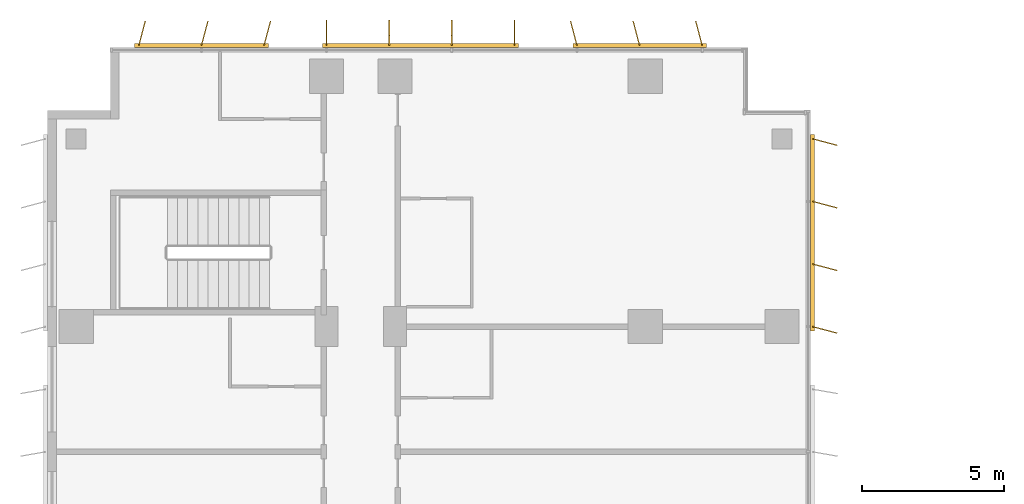
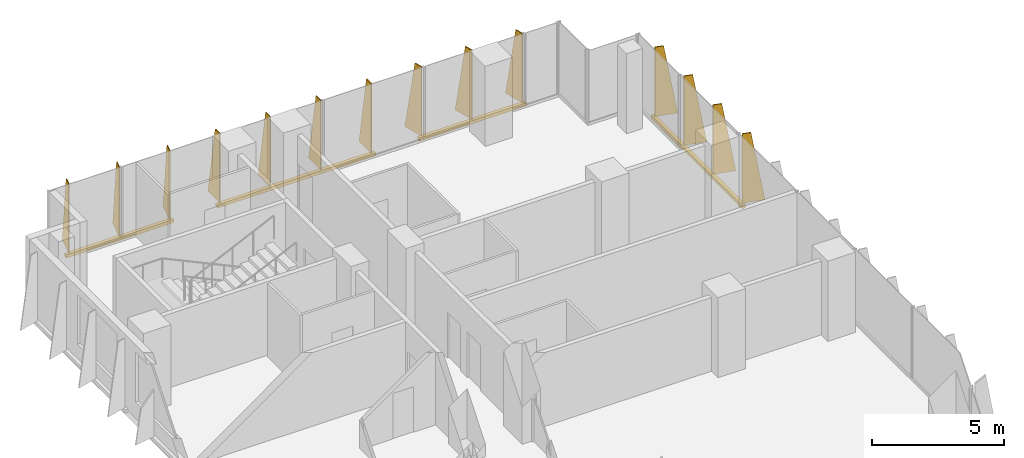
# One storey, part 23 of 23: 4 shading devices.
"""IFC4 building model written with IfcOpenShell, lengths in metres."""

from ifc_helpers import new_model, si_unit, direction, frame, origin, origin_2d, place, context, subcontext, project, spatial, polyline, rectangle, outline, extrude, source, transform, mapped, material, layer, layer_set, type_object, element, save


model = new_model("IFC4")

# Units and contexts
model_context = context("Model", 3, precision=1e-05, world=origin(), true_north=direction((0.0, 1.0)))
body_context = subcontext(model_context, "Body", "Model", "MODEL_VIEW")
ifc_project = project(units=[si_unit("LENGTHUNIT", "METRE"), si_unit("AREAUNIT", "SQUARE_METRE"), si_unit("VOLUMEUNIT", "CUBIC_METRE"), si_unit("PLANEANGLEUNIT", "RADIAN"), si_unit("MASSUNIT", "GRAM", prefix="KILO")], contexts=[model_context])

# Site, building, storey
site_placement = place(None, origin())
site = spatial("IfcSite", under=ifc_project, at=site_placement, CompositionType="ELEMENT")
building_placement = place(site_placement, origin())
building = spatial("IfcBuilding", under=site, at=building_placement, Name="Kemantara Hotel Tower", CompositionType="ELEMENT")
storey_placement = place(building_placement, frame((0.0, 0.0, 114.800048828125)))
storey = spatial("IfcBuildingStorey", under=building, at=storey_placement, Name="L27", CompositionType="ELEMENT", Elevation=114.800048828125)

# Shading devices
ifc_material = material(Name="Perforated aluminium plate 4 mm bronze anodised", Category="aluminium")
ifc_layer_1 = layer(ifc_material, 0.0400390625)
ifc_layer_set_1 = layer_set([ifc_layer_1], Name="Perforated aluminium plate 4 mm bronze anodised")
shading_device_type_1 = type_object("IfcShadingDeviceType", Name="SCREEN FIN CASSETTE, 3 BLADES AT -15.0 DEG, 3200 HIGH", PredefinedType="USERDEFINED", material=ifc_layer_set_1)
shared_shape_1 = source(origin(), body_context, "Body", "SweptSolid", [
    extrude(rectangle(XDim=4.699951171875, YDim=0.14990234375, at=origin_2d()), frame((2.199951171875, -0.074951171875, -0.14990234375), z_axis=(0.0, 0.0, 1.0), x_axis=(1.0, 0.0, 0.0)), (0.0, 0.0, 1.0), 0.14990234375),
    extrude(outline(polyline([(0.0, 0.0), (0.89990234375, 0.0), (0.35009765625, 3.199951171875), (0.0, 3.199951171875), (0.0, 0.0)])), frame((0.019287109375, -0.080078125, 0.0), z_axis=(-0.966437683387, 0.256901156343, 0.0), x_axis=(-0.256901156343, -0.966437683387, 0.0)), (0.0, 0.0, 1.0), 0.039794921875),
    extrude(outline(polyline([(0.0, 0.0), (0.89990234375, 0.0), (0.35009765625, 3.199951171875), (0.0, 3.199951171875), (0.0, 0.0)])), frame((2.21923828125, -0.080078125, 0.0), z_axis=(-0.966437683387, 0.256901156343, 0.0), x_axis=(-0.256901156343, -0.966437683387, 0.0)), (0.0, 0.0, 1.0), 0.039794921875),
    extrude(outline(polyline([(0.0, 0.0), (0.89990234375, 0.0), (0.35009765625, 3.199951171875), (0.0, 3.199951171875), (0.0, 0.0)])), frame((4.41943359375, -0.080078125, 0.0), z_axis=(-0.966837822169, 0.255391122837, 0.0), x_axis=(-0.255391122837, -0.966837822169, 0.0)), (0.0, 0.0, 1.0), 0.0400390625),
])
shading_device_1_placement = place(storey_placement, frame((7.60009765625, 81.199951171875, 0.099853515625), z_axis=(0.0, 0.0, 1.0), x_axis=(-1.0, 0.0, 0.0)))
element("IfcShadingDevice", 1, at=shading_device_1_placement, inside=storey, type_object=shading_device_type_1, Name="SCREEN FIN CASSETTE L27 T2-R01-3", ObjectType="SCREEN FIN", PredefinedType="USERDEFINED", context=body_context, shape_type="MappedRepresentation", body=[
    mapped(shared_shape_1, transform((0.0, 0.0, 0.0))),
])
ifc_layer_2 = layer(ifc_material, 0.0400390625)
ifc_layer_set_2 = layer_set([ifc_layer_2], Name="Perforated aluminium plate 4 mm bronze anodised")
shading_device_type_2 = type_object("IfcShadingDeviceType", Name="SCREEN FIN CASSETTE, 4 BLADES AT +0.0 DEG, 3200 HIGH", PredefinedType="USERDEFINED", material=ifc_layer_set_2)
shared_shape_2 = source(origin(), body_context, "Body", "SweptSolid", [
    extrude(rectangle(XDim=6.89990234375, YDim=0.14990234375, at=origin_2d()), frame((3.300048828125, -0.074951171875, -0.14990234375), z_axis=(0.0, 0.0, 1.0), x_axis=(1.0, 0.0, 0.0)), (0.0, 0.0, 1.0), 0.14990234375),
    extrude(outline(polyline([(0.0, 0.0), (0.89990234375, 0.0), (0.35009765625, 3.199951171875), (0.0, 3.199951171875), (0.0, 0.0)])), frame((0.02001953125, -0.074951171875, 0.0), z_axis=(-1.0, 0.0, 0.0), x_axis=(0.0, -1.0, 0.0)), (0.0, 0.0, 1.0), 0.0400390625),
    extrude(outline(polyline([(0.0, 0.0), (0.89990234375, 0.0), (0.35009765625, 3.199951171875), (0.0, 3.199951171875), (0.0, 0.0)])), frame((2.219970703125, -0.074951171875, 0.0), z_axis=(-1.0, 0.0, 0.0), x_axis=(0.0, -1.0, 0.0)), (0.0, 0.0, 1.0), 0.0400390625),
    extrude(outline(polyline([(0.0, 0.0), (0.89990234375, 0.0), (0.35009765625, 3.199951171875), (0.0, 3.199951171875), (0.0, 0.0)])), frame((4.419921875, -0.074951171875, 0.0), z_axis=(-1.0, 0.0, 0.0), x_axis=(0.0, -1.0, 0.0)), (0.0, 0.0, 1.0), 0.0400390625),
    extrude(outline(polyline([(0.0, 0.0), (0.89990234375, 0.0), (0.35009765625, 3.199951171875), (0.0, 3.199951171875), (0.0, 0.0)])), frame((6.6201171875, -0.074951171875, 0.0), z_axis=(-1.0, 0.0, 0.0), x_axis=(0.0, -1.0, 0.0)), (0.0, 0.0, 1.0), 0.0400390625),
])
shading_device_2_placement = place(storey_placement, frame((16.39990234375, 81.199951171875, 0.099853515625), z_axis=(0.0, 0.0, 1.0), x_axis=(-1.0, 0.0, 0.0)))
element("IfcShadingDevice", 2, at=shading_device_2_placement, inside=storey, type_object=shading_device_type_2, Name="SCREEN FIN CASSETTE L27 T2-R01-2", ObjectType="SCREEN FIN", PredefinedType="USERDEFINED", context=body_context, shape_type="MappedRepresentation", body=[
    mapped(shared_shape_2, transform((0.0, 0.0, 0.0))),
])
ifc_layer_3 = layer(ifc_material, 0.0400390625)
ifc_layer_set_3 = layer_set([ifc_layer_3], Name="Perforated aluminium plate 4 mm bronze anodised")
shading_device_type_3 = type_object("IfcShadingDeviceType", Name="SCREEN FIN CASSETTE, 3 BLADES AT +15.0 DEG, 3200 HIGH", PredefinedType="USERDEFINED", material=ifc_layer_set_3)
shared_shape_3 = source(origin(), body_context, "Body", "SweptSolid", [
    extrude(rectangle(XDim=4.699951171875, YDim=0.14990234375, at=origin_2d()), frame((2.199951171875, -0.074951171875, -0.14990234375), z_axis=(0.0, 0.0, 1.0), x_axis=(1.0, 0.0, 0.0)), (0.0, 0.0, 1.0), 0.14990234375),
    extrude(outline(polyline([(0.0, 0.0), (0.89990234375, 0.0), (0.35009765625, 3.199951171875), (0.0, 3.199951171875), (0.0, 0.0)])), frame((0.019287109375, -0.06982421875, 0.0), z_axis=(-0.966437683387, -0.256901156343, 0.0), x_axis=(0.256901156343, -0.966437683387, 0.0)), (0.0, 0.0, 1.0), 0.039794921875),
    extrude(outline(polyline([(0.0, 0.0), (0.89990234375, 0.0), (0.35009765625, 3.199951171875), (0.0, 3.199951171875), (0.0, 0.0)])), frame((2.21923828125, -0.06982421875, 0.0), z_axis=(-0.966437683387, -0.256901156343, 0.0), x_axis=(0.256901156343, -0.966437683387, 0.0)), (0.0, 0.0, 1.0), 0.039794921875),
    extrude(outline(polyline([(0.0, 0.0), (0.89990234375, 0.0), (0.35009765625, 3.199951171875), (0.0, 3.199951171875), (0.0, 0.0)])), frame((4.41943359375, -0.06982421875, 0.0), z_axis=(-0.966837822169, -0.255391122837, 0.0), x_axis=(0.255391122837, -0.966837822169, 0.0)), (0.0, 0.0, 1.0), 0.0400390625),
])
shading_device_3_placement = place(storey_placement, frame((23.0, 81.199951171875, 0.099853515625), z_axis=(0.0, 0.0, 1.0), x_axis=(-1.0, 0.0, 0.0)))
element("IfcShadingDevice", 3, at=shading_device_3_placement, inside=storey, type_object=shading_device_type_3, Name="SCREEN FIN CASSETTE L27 T2-R01-1", ObjectType="SCREEN FIN", PredefinedType="USERDEFINED", context=body_context, shape_type="MappedRepresentation", body=[
    mapped(shared_shape_3, transform((0.0, 0.0, 0.0))),
])
ifc_layer_4 = layer(ifc_material, 0.0400390625)
ifc_layer_set_4 = layer_set([ifc_layer_4], Name="Perforated aluminium plate 4 mm bronze anodised")
shading_device_type_4 = type_object("IfcShadingDeviceType", Name="SCREEN FIN CASSETTE, 4 BLADES AT -15.0 DEG, 3200 HIGH", PredefinedType="USERDEFINED", material=ifc_layer_set_4)
shared_shape_4 = source(origin(), body_context, "Body", "SweptSolid", [
    extrude(rectangle(XDim=6.89990234375, YDim=0.14990234375, at=origin_2d()), frame((3.300048828125, -0.074951171875, -0.14990234375), z_axis=(0.0, 0.0, 1.0), x_axis=(1.0, 0.0, 0.0)), (0.0, 0.0, 1.0), 0.14990234375),
    extrude(outline(polyline([(0.0, 0.0), (0.89990234375, 0.0), (0.35009765625, 3.199951171875), (0.0, 3.199951171875), (0.0, 0.0)])), frame((0.019287109375, -0.080078125, 0.0), z_axis=(-0.966437683387, 0.256901156343, 0.0), x_axis=(-0.256901156343, -0.966437683387, 0.0)), (0.0, 0.0, 1.0), 0.039794921875),
    extrude(outline(polyline([(0.0, 0.0), (0.89990234375, 0.0), (0.35009765625, 3.199951171875), (0.0, 3.199951171875), (0.0, 0.0)])), frame((2.21923828125, -0.080078125, 0.0), z_axis=(-0.966437683387, 0.256901156343, 0.0), x_axis=(-0.256901156343, -0.966437683387, 0.0)), (0.0, 0.0, 1.0), 0.039794921875),
    extrude(outline(polyline([(0.0, 0.0), (0.89990234375, 0.0), (0.35009765625, 3.199951171875), (0.0, 3.199951171875), (0.0, 0.0)])), frame((4.41943359375, -0.080078125, 0.0), z_axis=(-0.966837822169, 0.255391122837, 0.0), x_axis=(-0.255391122837, -0.966837822169, 0.0)), (0.0, 0.0, 1.0), 0.0400390625),
    extrude(outline(polyline([(0.0, 0.0), (0.89990234375, 0.0), (0.35009765625, 3.199951171875), (0.0, 3.199951171875), (0.0, 0.0)])), frame((6.619384765625, -0.080078125, 0.0), z_axis=(-0.966837822169, 0.255391122837, 0.0), x_axis=(-0.255391122837, -0.966837822169, 0.0)), (0.0, 0.0, 1.0), 0.0400390625),
])
shading_device_4_placement = place(storey_placement, frame((26.800048828125, 71.39990234375, 0.099853515625), z_axis=(0.0, 0.0, 1.0), x_axis=(0.0, 1.0, 0.0)))
element("IfcShadingDevice", 4, at=shading_device_4_placement, inside=storey, type_object=shading_device_type_4, Name="SCREEN FIN CASSETTE L27 T2-R14-7", ObjectType="SCREEN FIN", PredefinedType="USERDEFINED", context=body_context, shape_type="MappedRepresentation", body=[
    mapped(shared_shape_4, transform((0.0, 0.0, 0.0))),
])

save(model, "model.ifc")
